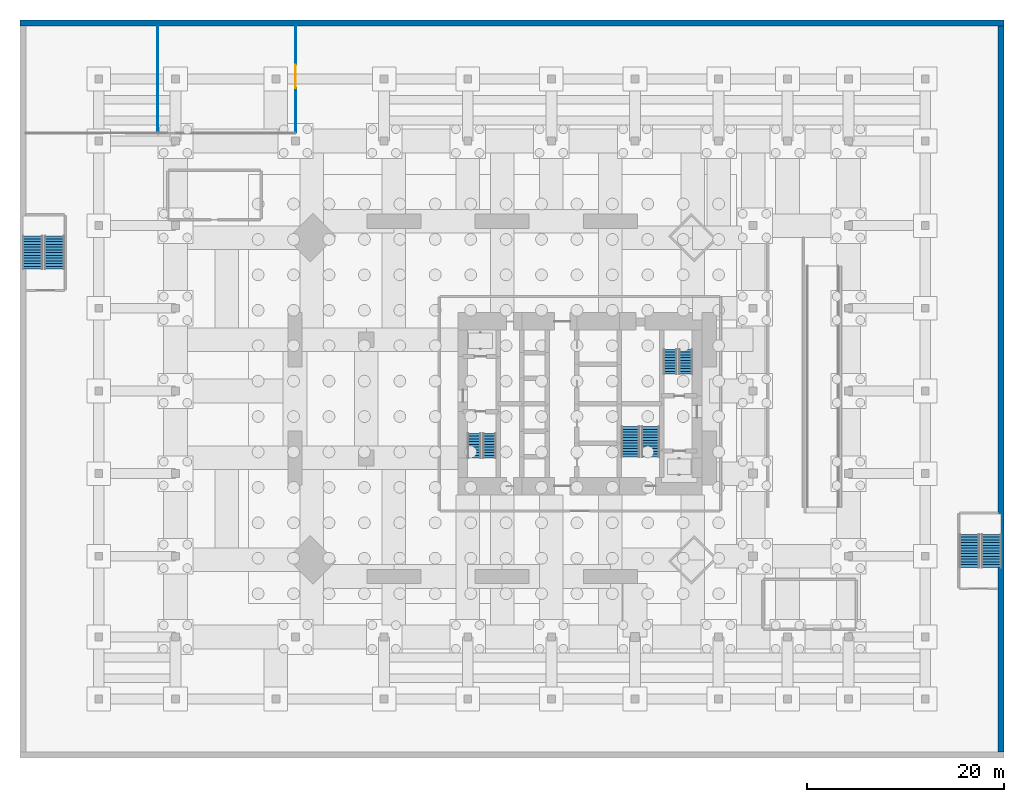
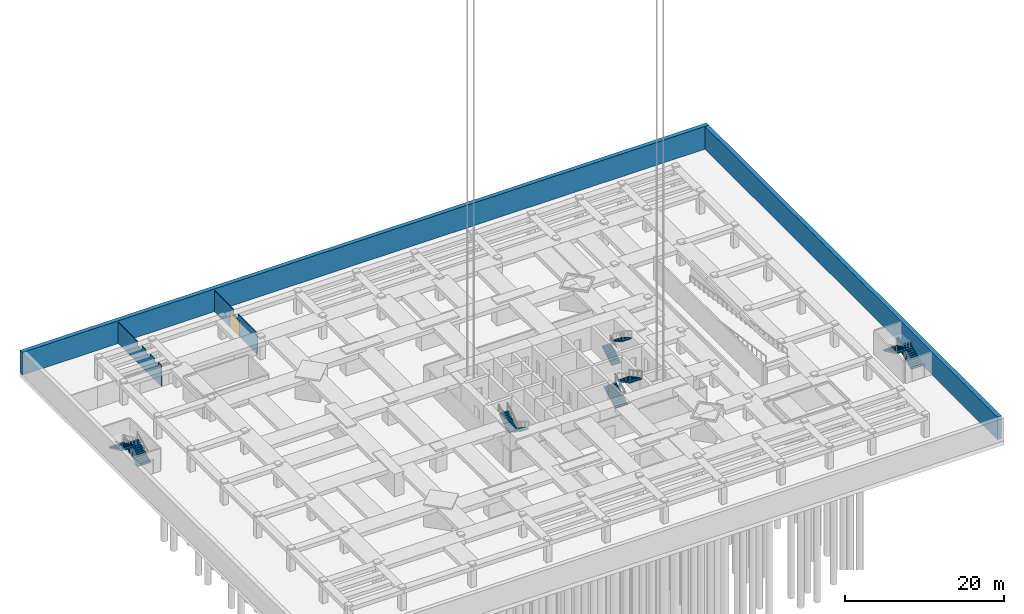
# One storey, part 11 of 15: 10 stair flights, 4 walls, 1 door, 1 opening, 5 elements without a shape of their own.
"""IFC4 building model written with IfcOpenShell, lengths in metres."""

from ifc_helpers import new_model, si_unit, direction, frame, frame_2d, origin, place, context, subcontext, project, spatial, polyline, rectangle, outline, extrude, material, layer, layer_set, constituent, constituent_set, type_object, element, fill, aggregate, save


model = new_model("IFC4")

# Units and contexts
model_context = context("Model", 3, precision=1e-05, world=origin(), true_north=direction((0.0, 1.0)))
body_context = subcontext(model_context, "Body", "Model", "MODEL_VIEW")
ifc_project = project(units=[si_unit("LENGTHUNIT", "METRE"), si_unit("AREAUNIT", "SQUARE_METRE"), si_unit("VOLUMEUNIT", "CUBIC_METRE"), si_unit("PLANEANGLEUNIT", "RADIAN"), si_unit("MASSUNIT", "GRAM", prefix="KILO")], contexts=[model_context])

# Site, building, storey
site_placement = place(None, origin())
site = spatial("IfcSite", under=ifc_project, at=site_placement, CompositionType="ELEMENT")
building_placement = place(site_placement, origin())
building = spatial("IfcBuilding", under=site, at=building_placement, Name="Jalousie Tower", CompositionType="ELEMENT")
storey_placement = place(building_placement, frame((0.0, 0.0, -7.5)))
storey = spatial("IfcBuildingStorey", under=building, at=storey_placement, Name="B2", CompositionType="ELEMENT", Elevation=-7.5)

# Walls
ifc_material_1 = material(Name="Concrete f'c 120 MPa", Category="concrete")
ifc_layer = layer(ifc_material_1, 0.60009765625)
ifc_layer_set = layer_set([ifc_layer], Name="Concrete f'c 120 MPa")
wall_type_1 = type_object("IfcWallType", Name="BASEMENT RETAINING WALL 600", PredefinedType="SOLIDWALL", material=ifc_layer_set)
wall_1_placement = place(storey_placement, frame((74.699951171875, -16.89990234375, 0.0), z_axis=(0.0, 0.0, 1.0), x_axis=(0.0, 1.0, 0.0)))
element("IfcWall", 1, at=wall_1_placement, inside=storey, type_object=wall_type_1, Name="Basement wall E B2", PredefinedType="SOLIDWALL", context=body_context, shape_type="SweptSolid", body=[
    extrude(rectangle(XDim=73.7998046875, YDim=0.60009765625, at=frame_2d((36.89990234375, 0.0))), origin(), (0.0, 0.0, 1.0), 3.5),
])
wall_2_placement = place(storey_placement, frame((75.0, 57.199951171875, 0.0), z_axis=(0.0, 0.0, 1.0), x_axis=(-1.0, 0.0, 0.0)))
element("IfcWall", 2, at=wall_2_placement, inside=storey, type_object=wall_type_1, Name="Basement wall N B2", PredefinedType="SOLIDWALL", context=body_context, shape_type="SweptSolid", body=[
    extrude(rectangle(XDim=100.0, YDim=0.60009765625, at=frame_2d((50.0, 0.0))), origin(), (0.0, 0.0, 1.0), 3.5),
])

# Wall, opening, door
ifc_material_2 = material(Name="Type X gypsum board", Category="gypsum")
ifc_constituent_1 = constituent(ifc_material_2, Name="Body")
ifc_material_3 = material(Name="Light-gauge steel studs ASTM A653 SS Grade 33", Category="steel")
ifc_constituent_2 = constituent(ifc_material_3, Name="Framing")
ifc_constituent_set_1 = constituent_set(constituents=[ifc_constituent_1, ifc_constituent_2])
wall_type_2 = type_object("IfcWallType", Name="FIRE PARTITION 100", PredefinedType="PARTITIONING", material=ifc_constituent_set_1)
wall_3_placement = place(storey_placement, frame((3.0, 46.050048828125, 0.0), z_axis=(0.0, 0.0, 1.0), x_axis=(0.0, 1.0, 0.0)))
wall_3 = element("IfcWall", 3, at=wall_3_placement, inside=storey, type_object=wall_type_2, Name="Fire Partition 100 B2", PredefinedType="PARTITIONING", context=body_context, shape_type="SweptSolid", body=[
    extrude(outline(polyline([(0.0, 0.0), (10.849853515625, 0.0), (10.85009765625, 3.260009765625), (6.010009765625, 3.260009765625), (6.010009765625, 2.659912109375), (4.889892578125, 2.659912109375), (4.889892578125, 3.260009765625), (0.409912109375, 3.260009765625), (0.409912109375, 2.659912109375), (0.0, 2.659912109375), (0.0, 3.260009765625), (0.0, 0.0)])), frame((0.0, 0.050048828125, 0.0), z_axis=(0.0, -1.0, 0.0), x_axis=(1.0, 0.0, 0.0)), (0.0, 0.0, 1.0), 0.10009765625),
])
opening_placement = place(wall_3_placement, frame((4.5, 0.0, 0.0)))
opening = element("IfcOpeningElement", 4, at=opening_placement, cuts=wall_3, Name="Opening D9", PredefinedType="OPENING", context=body_context, shape_type="SweptSolid", body=[
    extrude(rectangle(XDim=2.39990234375, YDim=2.39990234375, at=frame_2d((1.199951171875, 1.199951171875))), frame((0.0, 0.06005859375, 0.0), z_axis=(0.0, -1.0, 0.0), x_axis=(1.0, 0.0, 0.0)), (0.0, 0.0, 1.0), 0.1201171875),
])
ifc_material_4 = material(Name="Steel fire door", Category="steel")
door_type = type_object("IfcDoorType", Name="PLANT DOOR 2400", OperationType="DOUBLE_DOOR_SINGLE_SWING", PredefinedType="DOOR", material=ifc_material_4)
door_placement = place(opening_placement, origin())
door = element("IfcDoor", 5, at=door_placement, inside=storey, type_object=door_type, Name="Plant room door", OperationType="DOUBLE_DOOR_SINGLE_SWING", OverallHeight=2.39990234375, OverallWidth=2.39990234375, PredefinedType="DOOR", context=body_context, shape_type="SweptSolid", body=[
    extrude(rectangle(XDim=2.39990234375, YDim=2.39990234375, at=frame_2d((1.199951171875, 1.199951171875))), frame((0.0, 0.02490234375, 0.0), z_axis=(0.0, -1.0, 0.0), x_axis=(1.0, 0.0, 0.0)), (0.0, 0.0, 1.0), 0.050048828125),
])
fill(opening, door)

# Wall
ifc_material_5 = material(Name="Gypsum board", Category="gypsum")
ifc_constituent_3 = constituent(ifc_material_5, Name="Body")
ifc_material_6 = material(Name="Light-gauge steel studs ASTM A653 SS Grade 33", Category="steel")
ifc_constituent_4 = constituent(ifc_material_6, Name="Framing")
ifc_constituent_set_2 = constituent_set(constituents=[ifc_constituent_3, ifc_constituent_4])
wall_type_3 = type_object("IfcWallType", Name="PARTITION 100", PredefinedType="PARTITIONING", material=ifc_constituent_set_2)
wall_4_placement = place(storey_placement, frame((-11.0, 46.050048828125, 0.0), z_axis=(0.0, 0.0, 1.0), x_axis=(0.0, 1.0, 0.0)))
element("IfcWall", 6, at=wall_4_placement, inside=storey, type_object=wall_type_3, Name="Partition 100 B2", PredefinedType="PARTITIONING", context=body_context, shape_type="SweptSolid", body=[
    extrude(outline(polyline([(0.0, 0.0), (10.849853515625, 0.0), (10.85009765625, 3.260009765625), (6.010009765625, 3.260009765625), (6.010009765625, 2.659912109375), (4.889892578125, 2.659912109375), (4.889892578125, 3.260009765625), (3.860107421875, 3.260009765625), (3.860107421875, 2.760009765625), (2.840087890625, 2.760009765625), (2.840087890625, 3.260009765625), (1.760009765625, 3.260009765625), (1.760009765625, 2.760009765625), (0.739990234375, 2.760009765625), (0.739990234375, 3.260009765625), (0.0, 3.260009765625), (0.0, 0.0)])), frame((0.0, 0.050048828125, 0.0), z_axis=(0.0, -1.0, 0.0), x_axis=(1.0, 0.0, 0.0)), (0.0, 0.0, 1.0), 0.10009765625),
])

# Stair, stair flights
ifc_material_7 = material(Name="Concrete f'c 40 MPa", Category="concrete")
stair_type_1 = type_object("IfcStairType", Name="EXIT STAIR", PredefinedType="HALF_TURN_STAIR", material=ifc_material_7)
stair_1_placement = place(storey_placement, origin())
stair_1 = element("IfcStair", 7, at=stair_1_placement, inside=storey, type_object=stair_type_1, Name="Exit stair A B2", PredefinedType="HALF_TURN_STAIR")
ifc_material_8 = material(Name="Concrete f'c 40 MPa", Category="concrete")
stair_flight_type_1 = type_object("IfcStairFlightType", Name="STAIR FLIGHT", PredefinedType="STRAIGHT", material=ifc_material_8)
stair_flight_1_placement = place(storey_placement, frame((22.71875, 15.49755859375, 0.0), z_axis=(0.0, 0.0, 1.0), x_axis=(0.0, -1.0, 0.0)))
stair_flight_1 = element("IfcStairFlight", 8, at=stair_flight_1_placement, type_object=stair_flight_type_1, Name="ST-A flight 1", NumberOfRisers=10, NumberOfTreads=9, PredefinedType="STRAIGHT", RiserHeight=0.175, TreadLength=0.28, context=body_context, shape_type="SweptSolid", body=[
    extrude(outline(polyline([(0.0, 0.0), (0.0, 0.175048828125), (0.280029296875, 0.175048828125), (0.280029296875, 0.35009765625), (0.56005859375, 0.35009765625), (0.56005859375, 0.52490234375), (0.840087890625, 0.52490234375), (0.840087890625, 0.699951171875), (1.1201171875, 0.699951171875), (1.1201171875, 0.875), (1.39990234375, 0.875), (1.39990234375, 1.050048828125), (1.679931640625, 1.050048828125), (1.679931640625, 1.22509765625), (1.9599609375, 1.22509765625), (1.9599609375, 1.39990234375), (2.239990234375, 1.39990234375), (2.239990234375, 1.574951171875), (2.52001953125, 1.574951171875), (2.52001953125, 1.75), (2.52001953125, 1.398193359375), (0.28271484375, 0.0), (0.0, 0.0)])), frame((0.0, 0.65625, 0.0), z_axis=(0.0, -1.0, 0.0), x_axis=(1.0, 0.0, 0.0)), (0.0, 0.0, 1.0), 1.3125),
])
stair_flight_2_placement = place(storey_placement, frame((21.15625, 12.9775390625, 1.75), z_axis=(0.0, 0.0, 1.0), x_axis=(0.0, 1.0, 0.0)))
stair_flight_2 = element("IfcStairFlight", 9, at=stair_flight_2_placement, type_object=stair_flight_type_1, Name="ST-A flight 2", NumberOfRisers=10, NumberOfTreads=9, PredefinedType="STRAIGHT", RiserHeight=0.175, TreadLength=0.28, context=body_context, shape_type="SweptSolid", body=[
    extrude(outline(polyline([(0.0, 0.0), (0.0, 0.175048828125), (0.280029296875, 0.175048828125), (0.280029296875, 0.35009765625), (0.56005859375, 0.35009765625), (0.56005859375, 0.52490234375), (0.840087890625, 0.52490234375), (0.840087890625, 0.699951171875), (1.1201171875, 0.699951171875), (1.1201171875, 0.875), (1.39990234375, 0.875), (1.39990234375, 1.050048828125), (1.679931640625, 1.050048828125), (1.679931640625, 1.22509765625), (1.9599609375, 1.22509765625), (1.9599609375, 1.39990234375), (2.239990234375, 1.39990234375), (2.239990234375, 1.574951171875), (2.52001953125, 1.574951171875), (2.52001953125, 1.75), (2.52001953125, 1.398193359375), (0.28271484375, 0.0), (0.0, 0.0)])), frame((0.0, 0.65625, 0.0), z_axis=(0.0, -1.0, 0.0), x_axis=(1.0, 0.0, 0.0)), (0.0, 0.0, 1.0), 1.3125),
])
aggregate(stair_1, [stair_flight_1, stair_flight_2])

stair_2_placement = place(storey_placement, origin())
stair_2 = element("IfcStair", 10, at=stair_2_placement, inside=storey, type_object=stair_type_1, Name="Exit stair B B2", PredefinedType="HALF_TURN_STAIR")
stair_flight_3_placement = place(storey_placement, frame((41.081298828125, 21.50244140625, 0.0), z_axis=(0.0, 0.0, 1.0), x_axis=(0.0, 1.0, 0.0)))
stair_flight_3 = element("IfcStairFlight", 11, at=stair_flight_3_placement, type_object=stair_flight_type_1, Name="ST-B flight 1", NumberOfRisers=10, NumberOfTreads=9, PredefinedType="STRAIGHT", RiserHeight=0.175, TreadLength=0.28, context=body_context, shape_type="SweptSolid", body=[
    extrude(outline(polyline([(0.0, 0.0), (0.0, 0.175048828125), (0.280029296875, 0.175048828125), (0.280029296875, 0.35009765625), (0.56005859375, 0.35009765625), (0.56005859375, 0.52490234375), (0.840087890625, 0.52490234375), (0.840087890625, 0.699951171875), (1.1201171875, 0.699951171875), (1.1201171875, 0.875), (1.39990234375, 0.875), (1.39990234375, 1.050048828125), (1.679931640625, 1.050048828125), (1.679931640625, 1.22509765625), (1.9599609375, 1.22509765625), (1.9599609375, 1.39990234375), (2.239990234375, 1.39990234375), (2.239990234375, 1.574951171875), (2.52001953125, 1.574951171875), (2.52001953125, 1.75), (2.52001953125, 1.398193359375), (0.28271484375, 0.0), (0.0, 0.0)])), frame((0.0, 0.65625, 0.0), z_axis=(0.0, -1.0, 0.0), x_axis=(1.0, 0.0, 0.0)), (0.0, 0.0, 1.0), 1.3125),
])
stair_flight_4_placement = place(storey_placement, frame((42.643798828125, 24.0224609375, 1.75), z_axis=(0.0, 0.0, 1.0), x_axis=(0.0, -1.0, 0.0)))
stair_flight_4 = element("IfcStairFlight", 12, at=stair_flight_4_placement, type_object=stair_flight_type_1, Name="ST-B flight 2", NumberOfRisers=10, NumberOfTreads=9, PredefinedType="STRAIGHT", RiserHeight=0.175, TreadLength=0.28, context=body_context, shape_type="SweptSolid", body=[
    extrude(outline(polyline([(0.0, 0.0), (0.0, 0.175048828125), (0.280029296875, 0.175048828125), (0.280029296875, 0.35009765625), (0.56005859375, 0.35009765625), (0.56005859375, 0.52490234375), (0.840087890625, 0.52490234375), (0.840087890625, 0.699951171875), (1.1201171875, 0.699951171875), (1.1201171875, 0.875), (1.39990234375, 0.875), (1.39990234375, 1.050048828125), (1.679931640625, 1.050048828125), (1.679931640625, 1.22509765625), (1.9599609375, 1.22509765625), (1.9599609375, 1.39990234375), (2.239990234375, 1.39990234375), (2.239990234375, 1.574951171875), (2.52001953125, 1.574951171875), (2.52001953125, 1.75), (2.52001953125, 1.398193359375), (0.28271484375, 0.0), (0.0, 0.0)])), frame((0.0, 0.65625, 0.0), z_axis=(0.0, -1.0, 0.0), x_axis=(1.0, 0.0, 0.0)), (0.0, 0.0, 1.0), 1.3125),
])
aggregate(stair_2, [stair_flight_3, stair_flight_4])

stair_3_placement = place(storey_placement, origin())
stair_3 = element("IfcStair", 13, at=stair_3_placement, inside=storey, type_object=stair_type_1, Name="Exit stair C B2", PredefinedType="HALF_TURN_STAIR")
stair_flight_5_placement = place(storey_placement, frame((37.02490234375, 13.097412109375, 0.0), z_axis=(0.0, 0.0, 1.0), x_axis=(0.0, 1.0, 0.0)))
stair_flight_5 = element("IfcStairFlight", 14, at=stair_flight_5_placement, type_object=stair_flight_type_1, Name="ST-C flight 1", NumberOfRisers=12, NumberOfTreads=11, PredefinedType="STRAIGHT", RiserHeight=0.145833333, TreadLength=0.28, context=body_context, shape_type="SweptSolid", body=[
    extrude(outline(polyline([(0.0, 0.0), (0.0, 0.145751953125), (0.280029296875, 0.145751953125), (0.280029296875, 0.291748046875), (0.56005859375, 0.291748046875), (0.56005859375, 0.4375), (0.840087890625, 0.4375), (0.840087890625, 0.583251953125), (1.1201171875, 0.583251953125), (1.1201171875, 0.729248046875), (1.39990234375, 0.729248046875), (1.39990234375, 0.875), (1.679931640625, 0.875), (1.679931640625, 1.020751953125), (1.9599609375, 1.020751953125), (1.9599609375, 1.166748046875), (2.239990234375, 1.166748046875), (2.239990234375, 1.3125), (2.52001953125, 1.3125), (2.52001953125, 1.458251953125), (2.800048828125, 1.458251953125), (2.800048828125, 1.604248046875), (3.080078125, 1.604248046875), (3.080078125, 1.75), (3.080078125, 1.43505859375), (0.324462890625, 0.0), (0.0, 0.0)])), frame((0.0, 0.89990234375, 0.0), z_axis=(0.0, -1.0, 0.0), x_axis=(1.0, 0.0, 0.0)), (0.0, 0.0, 1.0), 1.800048828125),
])
stair_flight_6_placement = place(storey_placement, frame((39.074951171875, 16.177490234375, 1.75), z_axis=(0.0, 0.0, 1.0), x_axis=(0.0, -1.0, 0.0)))
stair_flight_6 = element("IfcStairFlight", 15, at=stair_flight_6_placement, type_object=stair_flight_type_1, Name="ST-C flight 2", NumberOfRisers=12, NumberOfTreads=11, PredefinedType="STRAIGHT", RiserHeight=0.145833333, TreadLength=0.28, context=body_context, shape_type="SweptSolid", body=[
    extrude(outline(polyline([(0.0, 0.0), (0.0, 0.145751953125), (0.280029296875, 0.145751953125), (0.280029296875, 0.291748046875), (0.56005859375, 0.291748046875), (0.56005859375, 0.4375), (0.840087890625, 0.4375), (0.840087890625, 0.583251953125), (1.1201171875, 0.583251953125), (1.1201171875, 0.729248046875), (1.39990234375, 0.729248046875), (1.39990234375, 0.875), (1.679931640625, 0.875), (1.679931640625, 1.020751953125), (1.9599609375, 1.020751953125), (1.9599609375, 1.166748046875), (2.239990234375, 1.166748046875), (2.239990234375, 1.3125), (2.52001953125, 1.3125), (2.52001953125, 1.458251953125), (2.800048828125, 1.458251953125), (2.800048828125, 1.604248046875), (3.080078125, 1.604248046875), (3.080078125, 1.75), (3.080078125, 1.43505859375), (0.324462890625, 0.0), (0.0, 0.0)])), frame((0.0, 0.89990234375, 0.0), z_axis=(0.0, -1.0, 0.0), x_axis=(1.0, 0.0, 0.0)), (0.0, 0.0, 1.0), 1.800048828125),
])
aggregate(stair_3, [stair_flight_5, stair_flight_6])

ifc_material_9 = material(Name="Concrete f'c 40 MPa", Category="concrete")
stair_type_2 = type_object("IfcStairType", Name="WIDE EXIT STAIR", PredefinedType="HALF_TURN_STAIR", material=ifc_material_9)
stair_4_placement = place(storey_placement, origin())
stair_4 = element("IfcStair", 16, at=stair_4_placement, inside=storey, type_object=stair_type_2, Name="Exit stair BS1 B2", PredefinedType="HALF_TURN_STAIR")
ifc_material_10 = material(Name="Concrete f'c 40 MPa", Category="concrete")
stair_flight_type_2 = type_object("IfcStairFlightType", Name="WIDE STAIR FLIGHT", PredefinedType="STRAIGHT", material=ifc_material_10)
stair_flight_7_placement = place(storey_placement, frame((-21.487548828125, 32.169921875, 0.0), z_axis=(0.0, 0.0, 1.0), x_axis=(0.0, 1.0, 0.0)))
stair_flight_7 = element("IfcStairFlight", 17, at=stair_flight_7_placement, type_object=stair_flight_type_2, Name="BS1 flight 1", NumberOfRisers=13, NumberOfTreads=12, PredefinedType="STRAIGHT", RiserHeight=0.134615385, TreadLength=0.28, context=body_context, shape_type="SweptSolid", body=[
    extrude(outline(polyline([(0.0, 0.0), (0.0, 0.134521484375), (0.280029296875, 0.134521484375), (0.280029296875, 0.269287109375), (0.56005859375, 0.269287109375), (0.56005859375, 0.40380859375), (0.840087890625, 0.40380859375), (0.840087890625, 0.53857421875), (1.1201171875, 0.53857421875), (1.1201171875, 0.673095703125), (1.39990234375, 0.673095703125), (1.39990234375, 0.8076171875), (1.679931640625, 0.8076171875), (1.679931640625, 0.9423828125), (1.9599609375, 0.9423828125), (1.9599609375, 1.076904296875), (2.239990234375, 1.076904296875), (2.239990234375, 1.21142578125), (2.52001953125, 1.21142578125), (2.52001953125, 1.34619140625), (2.800048828125, 1.34619140625), (2.800048828125, 1.480712890625), (3.080078125, 1.480712890625), (3.080078125, 1.615478515625), (3.360107421875, 1.615478515625), (3.360107421875, 1.75), (3.360107421875, 1.448974609375), (0.345947265625, 0.0), (0.0, 0.0)])), frame((0.0, 0.987548828125, 0.0), z_axis=(0.0, -1.0, 0.0), x_axis=(1.0, 0.0, 0.0)), (0.0, 0.0, 1.0), 1.97509765625),
])
stair_flight_8_placement = place(storey_placement, frame((-23.71240234375, 35.530029296875, 1.75), z_axis=(0.0, 0.0, 1.0), x_axis=(0.0, -1.0, 0.0)))
stair_flight_8 = element("IfcStairFlight", 18, at=stair_flight_8_placement, type_object=stair_flight_type_2, Name="BS1 flight 2", NumberOfRisers=13, NumberOfTreads=12, PredefinedType="STRAIGHT", RiserHeight=0.134615385, TreadLength=0.28, context=body_context, shape_type="SweptSolid", body=[
    extrude(outline(polyline([(0.0, 0.0), (0.0, 0.134521484375), (0.280029296875, 0.134521484375), (0.280029296875, 0.269287109375), (0.56005859375, 0.269287109375), (0.56005859375, 0.40380859375), (0.840087890625, 0.40380859375), (0.840087890625, 0.53857421875), (1.1201171875, 0.53857421875), (1.1201171875, 0.673095703125), (1.39990234375, 0.673095703125), (1.39990234375, 0.8076171875), (1.679931640625, 0.8076171875), (1.679931640625, 0.9423828125), (1.9599609375, 0.9423828125), (1.9599609375, 1.076904296875), (2.239990234375, 1.076904296875), (2.239990234375, 1.21142578125), (2.52001953125, 1.21142578125), (2.52001953125, 1.34619140625), (2.800048828125, 1.34619140625), (2.800048828125, 1.480712890625), (3.080078125, 1.480712890625), (3.080078125, 1.615478515625), (3.360107421875, 1.615478515625), (3.360107421875, 1.75), (3.360107421875, 1.448974609375), (0.345947265625, 0.0), (0.0, 0.0)])), frame((0.0, 0.987548828125, 0.0), z_axis=(0.0, -1.0, 0.0), x_axis=(1.0, 0.0, 0.0)), (0.0, 0.0, 1.0), 1.97509765625),
])
aggregate(stair_4, [stair_flight_7, stair_flight_8])

stair_5_placement = place(storey_placement, origin())
stair_5 = element("IfcStair", 19, at=stair_5_placement, inside=storey, type_object=stair_type_2, Name="Exit stair BS2 B2", PredefinedType="HALF_TURN_STAIR")
stair_flight_9_placement = place(storey_placement, frame((73.71240234375, 1.8701171875, 0.0), z_axis=(0.0, 0.0, 1.0), x_axis=(0.0, 1.0, 0.0)))
stair_flight_9 = element("IfcStairFlight", 20, at=stair_flight_9_placement, type_object=stair_flight_type_2, Name="BS2 flight 1", NumberOfRisers=13, NumberOfTreads=12, PredefinedType="STRAIGHT", RiserHeight=0.134615385, TreadLength=0.28, context=body_context, shape_type="SweptSolid", body=[
    extrude(outline(polyline([(0.0, 0.0), (0.0, 0.134521484375), (0.280029296875, 0.134521484375), (0.280029296875, 0.269287109375), (0.56005859375, 0.269287109375), (0.56005859375, 0.40380859375), (0.840087890625, 0.40380859375), (0.840087890625, 0.53857421875), (1.1201171875, 0.53857421875), (1.1201171875, 0.673095703125), (1.39990234375, 0.673095703125), (1.39990234375, 0.8076171875), (1.679931640625, 0.8076171875), (1.679931640625, 0.9423828125), (1.9599609375, 0.9423828125), (1.9599609375, 1.076904296875), (2.239990234375, 1.076904296875), (2.239990234375, 1.21142578125), (2.52001953125, 1.21142578125), (2.52001953125, 1.34619140625), (2.800048828125, 1.34619140625), (2.800048828125, 1.480712890625), (3.080078125, 1.480712890625), (3.080078125, 1.615478515625), (3.360107421875, 1.615478515625), (3.360107421875, 1.75), (3.360107421875, 1.448974609375), (0.345947265625, 0.0), (0.0, 0.0)])), frame((0.0, 0.987548828125, 0.0), z_axis=(0.0, -1.0, 0.0), x_axis=(1.0, 0.0, 0.0)), (0.0, 0.0, 1.0), 1.97509765625),
])
stair_flight_10_placement = place(storey_placement, frame((71.487548828125, 5.22998046875, 1.75), z_axis=(0.0, 0.0, 1.0), x_axis=(0.0, -1.0, 0.0)))
stair_flight_10 = element("IfcStairFlight", 21, at=stair_flight_10_placement, type_object=stair_flight_type_2, Name="BS2 flight 2", NumberOfRisers=13, NumberOfTreads=12, PredefinedType="STRAIGHT", RiserHeight=0.134615385, TreadLength=0.28, context=body_context, shape_type="SweptSolid", body=[
    extrude(outline(polyline([(0.0, 0.0), (0.0, 0.134521484375), (0.280029296875, 0.134521484375), (0.280029296875, 0.269287109375), (0.56005859375, 0.269287109375), (0.56005859375, 0.40380859375), (0.840087890625, 0.40380859375), (0.840087890625, 0.53857421875), (1.1201171875, 0.53857421875), (1.1201171875, 0.673095703125), (1.39990234375, 0.673095703125), (1.39990234375, 0.8076171875), (1.679931640625, 0.8076171875), (1.679931640625, 0.9423828125), (1.9599609375, 0.9423828125), (1.9599609375, 1.076904296875), (2.239990234375, 1.076904296875), (2.239990234375, 1.21142578125), (2.52001953125, 1.21142578125), (2.52001953125, 1.34619140625), (2.800048828125, 1.34619140625), (2.800048828125, 1.480712890625), (3.080078125, 1.480712890625), (3.080078125, 1.615478515625), (3.360107421875, 1.615478515625), (3.360107421875, 1.75), (3.360107421875, 1.448974609375), (0.345947265625, 0.0), (0.0, 0.0)])), frame((0.0, 0.987548828125, 0.0), z_axis=(0.0, -1.0, 0.0), x_axis=(1.0, 0.0, 0.0)), (0.0, 0.0, 1.0), 1.97509765625),
])
aggregate(stair_5, [stair_flight_9, stair_flight_10])

save(model, "model.ifc")
